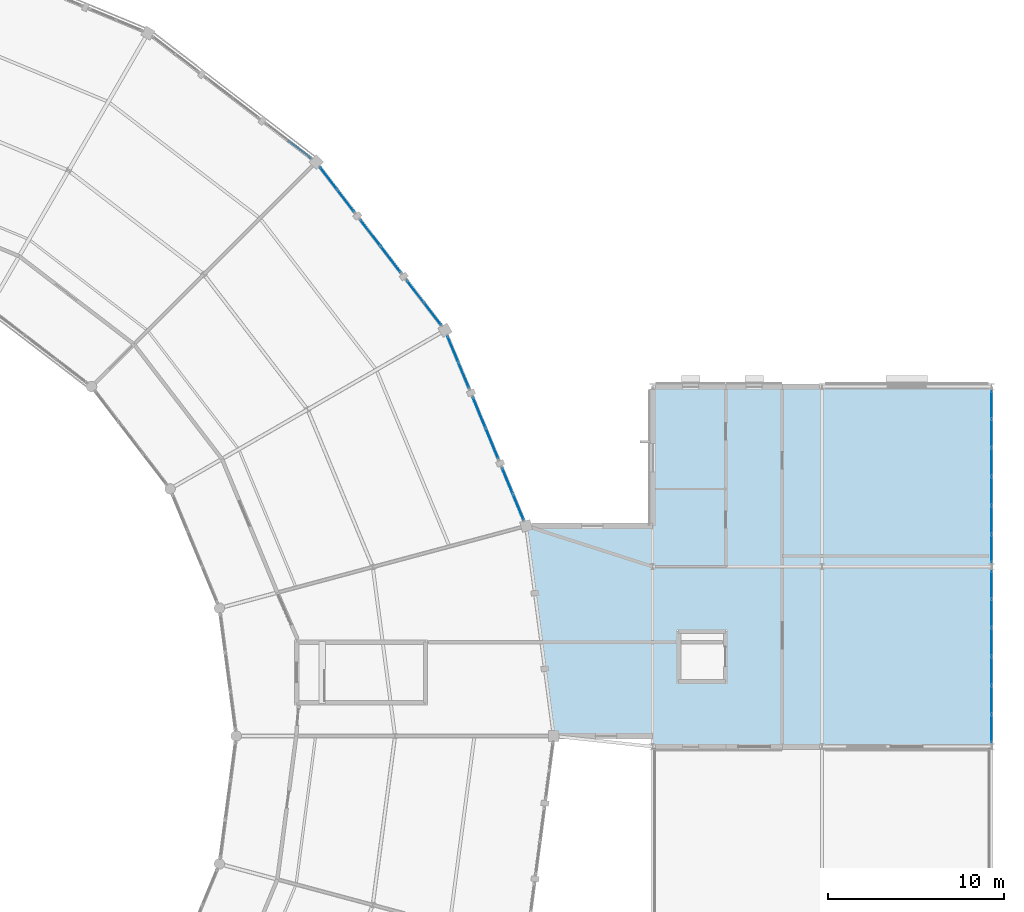
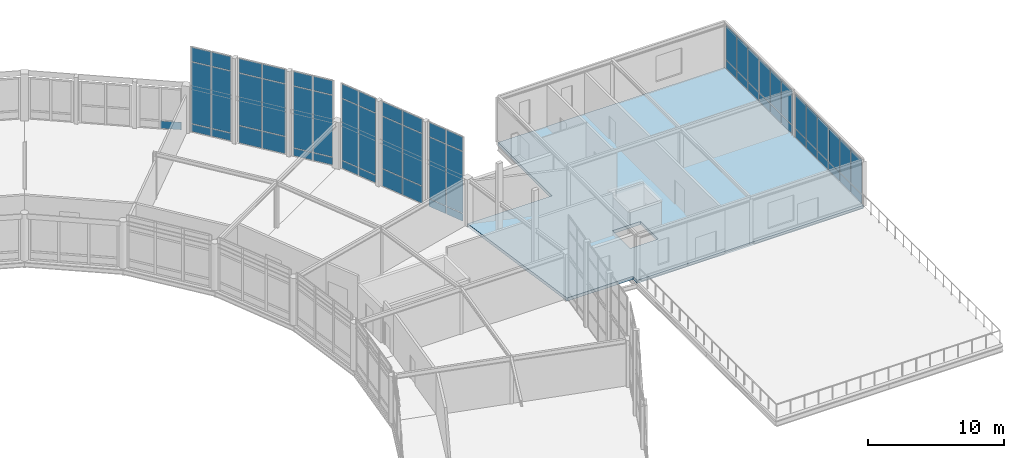
# One storey, part 146 of 185: 61 plates, 1 slab, 9 elements without a shape of their own.
"""IFC4 building model written with IfcOpenShell, lengths in metres."""

from ifc_helpers import new_model, si_unit, direction, frame, origin, origin_2d, place, context, subcontext, project, spatial, polyline, rectangle, outline, extrude, material, layer, layer_set, type_object, element, aggregate, save


model = new_model("IFC4")

# Units and contexts
model_context = context("Model", 3, precision=1e-05, world=origin(), true_north=direction((0.0, 1.0)))
body_context = subcontext(model_context, "Body", "Model", "MODEL_VIEW")
ifc_project = project(units=[si_unit("LENGTHUNIT", "METRE"), si_unit("AREAUNIT", "SQUARE_METRE"), si_unit("VOLUMEUNIT", "CUBIC_METRE"), si_unit("PLANEANGLEUNIT", "RADIAN"), si_unit("MASSUNIT", "GRAM", prefix="KILO")], contexts=[model_context])

# Site, building, storey
site_placement = place(None, origin())
site = spatial("IfcSite", under=ifc_project, at=site_placement, CompositionType="ELEMENT")
building_placement = place(site_placement, origin())
building = spatial("IfcBuilding", under=site, at=building_placement, Name="Vondelvale Polytechnic", CompositionType="ELEMENT")
storey_placement = place(building_placement, frame((0.0, 0.0, 9.60009765625)))
storey = spatial("IfcBuildingStorey", under=building, at=storey_placement, Name="L02", CompositionType="ELEMENT", Elevation=9.60009765625)

# Curtain wall, plates
ifc_material_1 = material(Name="Glulam GL18 structural Tasmanian oak (fb = 42 MPa)", Category="wood")
curtain_wall_type_1 = type_object("IfcCurtainWallType", Name="CW-RING-OUTER", PredefinedType="NOTDEFINED", material=ifc_material_1)
curtain_wall_1_placement = place(storey_placement, origin())
curtain_wall_1 = element("IfcCurtainWall", 1, at=curtain_wall_1_placement, inside=storey, type_object=curtain_wall_type_1, Name="L02 architectural curtain wall CW-04-082", PredefinedType="NOTDEFINED")
ifc_material_2 = material(Name="Double-glazed low-E insulated architectural glass", Category="glass")
ifc_layer_1 = layer(ifc_material_2, 0.028076171875)
ifc_layer_set_1 = layer_set([ifc_layer_1], Name="CW-PANEL-GLAZED")
plate_type_1 = type_object("IfcPlateType", Name="CW-PANEL-GLAZED", PredefinedType="CURTAIN_PANEL", material=ifc_layer_set_1)
plate_1_placement = place(storey_placement, frame((145.98779296875, 84.97998046875, 0.77978515625), z_axis=(0.0, 0.0, 1.0), x_axis=(-0.382677394529, 0.923882033442, 0.0)))
plate_1 = element("IfcPlate", 2, at=plate_1_placement, type_object=plate_type_1, Name="CW-04-082 panel 1.2", PredefinedType="CURTAIN_PANEL", context=body_context, shape_type="SweptSolid", body=[
    extrude(rectangle(XDim=1.530029296875, YDim=0.028076171875, at=origin_2d()), origin(), (0.0, 0.0, 1.0), 5.50146484375),
])
plate_2_placement = place(storey_placement, frame((145.98779296875, 84.97998046875, 6.34130859375), z_axis=(0.0, 0.0, 1.0), x_axis=(-0.382677394529, 0.923882033442, 0.0)))
plate_2 = element("IfcPlate", 3, at=plate_2_placement, type_object=plate_type_1, Name="CW-04-082 panel 1.3", PredefinedType="CURTAIN_PANEL", context=body_context, shape_type="SweptSolid", body=[
    extrude(rectangle(XDim=1.530029296875, YDim=0.028076171875, at=origin_2d()), origin(), (0.0, 0.0, 1.0), 1.260009765625),
])
plate_3_placement = place(storey_placement, frame((145.377197265625, 86.453369140625, 0.77978515625), z_axis=(0.0, 0.0, 1.0), x_axis=(-0.382677394529, 0.923882033442, 0.0)))
plate_3 = element("IfcPlate", 4, at=plate_3_placement, type_object=plate_type_1, Name="CW-04-082 panel 2.2", PredefinedType="CURTAIN_PANEL", context=body_context, shape_type="SweptSolid", body=[
    extrude(rectangle(XDim=1.530029296875, YDim=0.028076171875, at=origin_2d()), origin(), (0.0, 0.0, 1.0), 5.50146484375),
])
plate_4_placement = place(storey_placement, frame((145.377197265625, 86.453369140625, 6.34130859375), z_axis=(0.0, 0.0, 1.0), x_axis=(-0.382677394529, 0.923882033442, 0.0)))
plate_4 = element("IfcPlate", 5, at=plate_4_placement, type_object=plate_type_1, Name="CW-04-082 panel 2.3", PredefinedType="CURTAIN_PANEL", context=body_context, shape_type="SweptSolid", body=[
    extrude(rectangle(XDim=1.530029296875, YDim=0.028076171875, at=origin_2d()), origin(), (0.0, 0.0, 1.0), 1.260009765625),
])

curtain_wall_2_placement = place(storey_placement, origin())
curtain_wall_2 = element("IfcCurtainWall", 6, at=curtain_wall_2_placement, inside=storey, type_object=curtain_wall_type_1, Name="L02 architectural curtain wall CW-04-083", PredefinedType="NOTDEFINED")
plate_5_placement = place(storey_placement, frame((144.493408203125, 88.587158203125, 1.6298828125), z_axis=(0.0, 0.0, 1.0), x_axis=(-0.382694599123, 0.92387490701, 0.0)))
plate_5 = element("IfcPlate", 7, at=plate_5_placement, type_object=plate_type_1, Name="CW-04-083 panel 1.2", PredefinedType="CURTAIN_PANEL", context=body_context, shape_type="SweptSolid", body=[
    extrude(rectangle(XDim=1.80908203125, YDim=0.028076171875, at=origin_2d()), origin(), (0.0, 0.0, 1.0), 4.6513671875),
])
plate_6_placement = place(storey_placement, frame((144.493408203125, 88.587158203125, 6.34130859375), z_axis=(0.0, 0.0, 1.0), x_axis=(-0.382694599123, 0.92387490701, 0.0)))
plate_6 = element("IfcPlate", 8, at=plate_6_placement, type_object=plate_type_1, Name="CW-04-083 panel 1.3", PredefinedType="CURTAIN_PANEL", context=body_context, shape_type="SweptSolid", body=[
    extrude(rectangle(XDim=1.80908203125, YDim=0.028076171875, at=origin_2d()), origin(), (0.0, 0.0, 1.0), 1.260009765625),
])
plate_7_placement = place(storey_placement, frame((143.7763671875, 90.318603515625, 1.6298828125), z_axis=(0.0, 0.0, 1.0), x_axis=(-0.382694599123, 0.92387490701, 0.0)))
plate_7 = element("IfcPlate", 9, at=plate_7_placement, type_object=plate_type_1, Name="CW-04-083 panel 2.2", PredefinedType="CURTAIN_PANEL", context=body_context, shape_type="SweptSolid", body=[
    extrude(rectangle(XDim=1.80908203125, YDim=0.028076171875, at=origin_2d()), origin(), (0.0, 0.0, 1.0), 4.6513671875),
])
plate_8_placement = place(storey_placement, frame((143.7763671875, 90.318603515625, 6.34130859375), z_axis=(0.0, 0.0, 1.0), x_axis=(-0.382694599123, 0.92387490701, 0.0)))
plate_8 = element("IfcPlate", 10, at=plate_8_placement, type_object=plate_type_1, Name="CW-04-083 panel 2.3", PredefinedType="CURTAIN_PANEL", context=body_context, shape_type="SweptSolid", body=[
    extrude(rectangle(XDim=1.80908203125, YDim=0.028076171875, at=origin_2d()), origin(), (0.0, 0.0, 1.0), 1.260009765625),
])

curtain_wall_3_placement = place(storey_placement, origin())
curtain_wall_3 = element("IfcCurtainWall", 11, at=curtain_wall_3_placement, inside=storey, type_object=curtain_wall_type_1, Name="L02 architectural curtain wall CW-04-084", PredefinedType="NOTDEFINED")
plate_9_placement = place(storey_placement, frame((142.892578125, 92.4521484375, 0.77978515625), z_axis=(0.0, 0.0, 1.0), x_axis=(-0.382677394529, 0.923882033442, 0.0)))
plate_9 = element("IfcPlate", 12, at=plate_9_placement, type_object=plate_type_1, Name="CW-04-084 panel 1.2", PredefinedType="CURTAIN_PANEL", context=body_context, shape_type="SweptSolid", body=[
    extrude(rectangle(XDim=1.530029296875, YDim=0.028076171875, at=origin_2d()), origin(), (0.0, 0.0, 1.0), 5.50146484375),
])
plate_10_placement = place(storey_placement, frame((142.892578125, 92.4521484375, 6.34130859375), z_axis=(0.0, 0.0, 1.0), x_axis=(-0.382677394529, 0.923882033442, 0.0)))
plate_10 = element("IfcPlate", 13, at=plate_10_placement, type_object=plate_type_1, Name="CW-04-084 panel 1.3", PredefinedType="CURTAIN_PANEL", context=body_context, shape_type="SweptSolid", body=[
    extrude(rectangle(XDim=1.530029296875, YDim=0.028076171875, at=origin_2d()), origin(), (0.0, 0.0, 1.0), 1.260009765625),
])
plate_11_placement = place(storey_placement, frame((142.2822265625, 93.92578125, 0.77978515625), z_axis=(0.0, 0.0, 1.0), x_axis=(-0.382677394529, 0.923882033442, 0.0)))
plate_11 = element("IfcPlate", 14, at=plate_11_placement, type_object=plate_type_1, Name="CW-04-084 panel 2.2", PredefinedType="CURTAIN_PANEL", context=body_context, shape_type="SweptSolid", body=[
    extrude(rectangle(XDim=1.530029296875, YDim=0.028076171875, at=origin_2d()), origin(), (0.0, 0.0, 1.0), 5.50146484375),
])
plate_12_placement = place(storey_placement, frame((142.2822265625, 93.92578125, 6.34130859375), z_axis=(0.0, 0.0, 1.0), x_axis=(-0.382677394529, 0.923882033442, 0.0)))
plate_12 = element("IfcPlate", 15, at=plate_12_placement, type_object=plate_type_1, Name="CW-04-084 panel 2.3", PredefinedType="CURTAIN_PANEL", context=body_context, shape_type="SweptSolid", body=[
    extrude(rectangle(XDim=1.530029296875, YDim=0.028076171875, at=origin_2d()), origin(), (0.0, 0.0, 1.0), 1.260009765625),
])

curtain_wall_4_placement = place(storey_placement, origin())
curtain_wall_4 = element("IfcCurtainWall", 16, at=curtain_wall_4_placement, inside=storey, type_object=curtain_wall_type_1, Name="L02 architectural curtain wall CW-04-094", PredefinedType="NOTDEFINED")
plate_13_placement = place(storey_placement, frame((141.12939453125, 95.92236328125, 0.77978515625), z_axis=(0.0, 0.0, 1.0), x_axis=(-0.608786860133, 0.793333825656, 0.0)))
plate_13 = element("IfcPlate", 17, at=plate_13_placement, type_object=plate_type_1, Name="CW-04-094 panel 1.2", PredefinedType="CURTAIN_PANEL", context=body_context, shape_type="SweptSolid", body=[
    extrude(rectangle(XDim=1.530029296875, YDim=0.028076171875, at=origin_2d()), origin(), (0.0, 0.0, 1.0), 5.50146484375),
])
plate_14_placement = place(storey_placement, frame((141.12939453125, 95.92236328125, 6.34130859375), z_axis=(0.0, 0.0, 1.0), x_axis=(-0.608786860133, 0.793333825656, 0.0)))
plate_14 = element("IfcPlate", 18, at=plate_14_placement, type_object=plate_type_1, Name="CW-04-094 panel 1.3", PredefinedType="CURTAIN_PANEL", context=body_context, shape_type="SweptSolid", body=[
    extrude(rectangle(XDim=1.530029296875, YDim=0.028076171875, at=origin_2d()), origin(), (0.0, 0.0, 1.0), 1.260009765625),
])
plate_15_placement = place(storey_placement, frame((140.158447265625, 97.187744140625, 0.77978515625), z_axis=(0.0, 0.0, 1.0), x_axis=(-0.608786860133, 0.793333825656, 0.0)))
plate_15 = element("IfcPlate", 19, at=plate_15_placement, type_object=plate_type_1, Name="CW-04-094 panel 2.2", PredefinedType="CURTAIN_PANEL", context=body_context, shape_type="SweptSolid", body=[
    extrude(rectangle(XDim=1.530029296875, YDim=0.028076171875, at=origin_2d()), origin(), (0.0, 0.0, 1.0), 5.50146484375),
])
plate_16_placement = place(storey_placement, frame((140.158447265625, 97.187744140625, 6.34130859375), z_axis=(0.0, 0.0, 1.0), x_axis=(-0.608786860133, 0.793333825656, 0.0)))
plate_16 = element("IfcPlate", 20, at=plate_16_placement, type_object=plate_type_1, Name="CW-04-094 panel 2.3", PredefinedType="CURTAIN_PANEL", context=body_context, shape_type="SweptSolid", body=[
    extrude(rectangle(XDim=1.530029296875, YDim=0.028076171875, at=origin_2d()), origin(), (0.0, 0.0, 1.0), 1.260009765625),
])

curtain_wall_5_placement = place(storey_placement, origin())
curtain_wall_5 = element("IfcCurtainWall", 21, at=curtain_wall_5_placement, inside=storey, type_object=curtain_wall_type_1, Name="L02 architectural curtain wall CW-04-095", PredefinedType="NOTDEFINED")
plate_17_placement = place(storey_placement, frame((138.75244140625, 99.02001953125, 1.6298828125), z_axis=(0.0, 0.0, 1.0), x_axis=(-0.608771189063, 0.793345851043, 0.0)))
plate_17 = element("IfcPlate", 22, at=plate_17_placement, type_object=plate_type_1, Name="CW-04-095 panel 1.2", PredefinedType="CURTAIN_PANEL", context=body_context, shape_type="SweptSolid", body=[
    extrude(rectangle(XDim=1.80908203125, YDim=0.028076171875, at=origin_2d()), origin(), (0.0, 0.0, 1.0), 4.6513671875),
])
plate_18_placement = place(storey_placement, frame((138.75244140625, 99.02001953125, 6.34130859375), z_axis=(0.0, 0.0, 1.0), x_axis=(-0.608771189063, 0.793345851043, 0.0)))
plate_18 = element("IfcPlate", 23, at=plate_18_placement, type_object=plate_type_1, Name="CW-04-095 panel 1.3", PredefinedType="CURTAIN_PANEL", context=body_context, shape_type="SweptSolid", body=[
    extrude(rectangle(XDim=1.80908203125, YDim=0.028076171875, at=origin_2d()), origin(), (0.0, 0.0, 1.0), 1.260009765625),
])
plate_19_placement = place(storey_placement, frame((137.611572265625, 100.5068359375, 1.6298828125), z_axis=(0.0, 0.0, 1.0), x_axis=(-0.608771189063, 0.793345851043, 0.0)))
plate_19 = element("IfcPlate", 24, at=plate_19_placement, type_object=plate_type_1, Name="CW-04-095 panel 2.2", PredefinedType="CURTAIN_PANEL", context=body_context, shape_type="SweptSolid", body=[
    extrude(rectangle(XDim=1.80908203125, YDim=0.028076171875, at=origin_2d()), origin(), (0.0, 0.0, 1.0), 4.6513671875),
])
plate_20_placement = place(storey_placement, frame((137.611572265625, 100.5068359375, 6.34130859375), z_axis=(0.0, 0.0, 1.0), x_axis=(-0.608771189063, 0.793345851043, 0.0)))
plate_20 = element("IfcPlate", 25, at=plate_20_placement, type_object=plate_type_1, Name="CW-04-095 panel 2.3", PredefinedType="CURTAIN_PANEL", context=body_context, shape_type="SweptSolid", body=[
    extrude(rectangle(XDim=1.80908203125, YDim=0.028076171875, at=origin_2d()), origin(), (0.0, 0.0, 1.0), 1.260009765625),
])

curtain_wall_6_placement = place(storey_placement, origin())
curtain_wall_6 = element("IfcCurtainWall", 26, at=curtain_wall_6_placement, inside=storey, type_object=curtain_wall_type_1, Name="L02 architectural curtain wall CW-04-096", PredefinedType="NOTDEFINED")
plate_21_placement = place(storey_placement, frame((136.205810546875, 102.339111328125, 0.77978515625), z_axis=(0.0, 0.0, 1.0), x_axis=(-0.608786860133, 0.793333825656, 0.0)))
plate_21 = element("IfcPlate", 27, at=plate_21_placement, type_object=plate_type_1, Name="CW-04-096 panel 1.2", PredefinedType="CURTAIN_PANEL", context=body_context, shape_type="SweptSolid", body=[
    extrude(rectangle(XDim=1.530029296875, YDim=0.028076171875, at=origin_2d()), origin(), (0.0, 0.0, 1.0), 5.50146484375),
])
plate_22_placement = place(storey_placement, frame((136.205810546875, 102.339111328125, 6.34130859375), z_axis=(0.0, 0.0, 1.0), x_axis=(-0.608786860133, 0.793333825656, 0.0)))
plate_22 = element("IfcPlate", 28, at=plate_22_placement, type_object=plate_type_1, Name="CW-04-096 panel 1.3", PredefinedType="CURTAIN_PANEL", context=body_context, shape_type="SweptSolid", body=[
    extrude(rectangle(XDim=1.530029296875, YDim=0.028076171875, at=origin_2d()), origin(), (0.0, 0.0, 1.0), 1.260009765625),
])
plate_23_placement = place(storey_placement, frame((135.234619140625, 103.6044921875, 0.77978515625), z_axis=(0.0, 0.0, 1.0), x_axis=(-0.608786860133, 0.793333825656, 0.0)))
plate_23 = element("IfcPlate", 29, at=plate_23_placement, type_object=plate_type_1, Name="CW-04-096 panel 2.2", PredefinedType="CURTAIN_PANEL", context=body_context, shape_type="SweptSolid", body=[
    extrude(rectangle(XDim=1.530029296875, YDim=0.028076171875, at=origin_2d()), origin(), (0.0, 0.0, 1.0), 5.50146484375),
])
plate_24_placement = place(storey_placement, frame((135.234619140625, 103.6044921875, 6.34130859375), z_axis=(0.0, 0.0, 1.0), x_axis=(-0.608786860133, 0.793333825656, 0.0)))
plate_24 = element("IfcPlate", 30, at=plate_24_placement, type_object=plate_type_1, Name="CW-04-096 panel 2.3", PredefinedType="CURTAIN_PANEL", context=body_context, shape_type="SweptSolid", body=[
    extrude(rectangle(XDim=1.530029296875, YDim=0.028076171875, at=origin_2d()), origin(), (0.0, 0.0, 1.0), 1.260009765625),
])

ifc_material_3 = material(Name="Anodised extruded aluminium 6063-T6", Category="aluminium")
curtain_wall_type_2 = type_object("IfcCurtainWallType", Name="CW-REFECTORY", PredefinedType="NOTDEFINED", material=ifc_material_3)
curtain_wall_7_placement = place(storey_placement, origin())
curtain_wall_7 = element("IfcCurtainWall", 31, at=curtain_wall_7_placement, inside=storey, type_object=curtain_wall_type_2, Name="L02 architectural curtain wall CW-05-393", PredefinedType="NOTDEFINED")
plate_25_placement = place(storey_placement, frame((172.800048828125, 72.4208984375, 0.88232421875), z_axis=(0.0, 0.0, 1.0), x_axis=(0.0, 1.0, 0.0)))
plate_25 = element("IfcPlate", 32, at=plate_25_placement, type_object=plate_type_1, Name="CW-05-393 panel 1.2", PredefinedType="CURTAIN_PANEL", context=body_context, shape_type="SweptSolid", body=[
    extrude(rectangle(XDim=1.53369140625, YDim=0.028076171875, at=origin_2d()), origin(), (0.0, 0.0, 1.0), 3.052490234375),
])
plate_26_placement = place(storey_placement, frame((172.800048828125, 74.0419921875, 0.88232421875), z_axis=(0.0, 0.0, 1.0), x_axis=(0.0, 1.0, 0.0)))
plate_26 = element("IfcPlate", 33, at=plate_26_placement, type_object=plate_type_1, Name="CW-05-393 panel 2.2", PredefinedType="CURTAIN_PANEL", context=body_context, shape_type="SweptSolid", body=[
    extrude(rectangle(XDim=1.568603515625, YDim=0.028076171875, at=origin_2d()), origin(), (0.0, 0.0, 1.0), 3.052490234375),
])
plate_27_placement = place(storey_placement, frame((172.800048828125, 75.6806640625, 0.88232421875), z_axis=(0.0, 0.0, 1.0), x_axis=(0.0, 1.0, 0.0)))
plate_27 = element("IfcPlate", 34, at=plate_27_placement, type_object=plate_type_1, Name="CW-05-393 panel 3.2", PredefinedType="CURTAIN_PANEL", context=body_context, shape_type="SweptSolid", body=[
    extrude(rectangle(XDim=1.568603515625, YDim=0.028076171875, at=origin_2d()), origin(), (0.0, 0.0, 1.0), 3.052490234375),
])
plate_28_placement = place(storey_placement, frame((172.800048828125, 77.3193359375, 0.88232421875), z_axis=(0.0, 0.0, 1.0), x_axis=(0.0, 1.0, 0.0)))
plate_28 = element("IfcPlate", 35, at=plate_28_placement, type_object=plate_type_1, Name="CW-05-393 panel 4.2", PredefinedType="CURTAIN_PANEL", context=body_context, shape_type="SweptSolid", body=[
    extrude(rectangle(XDim=1.568603515625, YDim=0.028076171875, at=origin_2d()), origin(), (0.0, 0.0, 1.0), 3.052490234375),
])
plate_29_placement = place(storey_placement, frame((172.800048828125, 78.9580078125, 0.88232421875), z_axis=(0.0, 0.0, 1.0), x_axis=(0.0, 1.0, 0.0)))
plate_29 = element("IfcPlate", 36, at=plate_29_placement, type_object=plate_type_1, Name="CW-05-393 panel 5.2", PredefinedType="CURTAIN_PANEL", context=body_context, shape_type="SweptSolid", body=[
    extrude(rectangle(XDim=1.568603515625, YDim=0.028076171875, at=origin_2d()), origin(), (0.0, 0.0, 1.0), 3.052490234375),
])
plate_30_placement = place(storey_placement, frame((172.800048828125, 80.5791015625, 0.88232421875), z_axis=(0.0, 0.0, 1.0), x_axis=(0.0, 1.0, 0.0)))
plate_30 = element("IfcPlate", 37, at=plate_30_placement, type_object=plate_type_1, Name="CW-05-393 panel 6.2", PredefinedType="CURTAIN_PANEL", context=body_context, shape_type="SweptSolid", body=[
    extrude(rectangle(XDim=1.53369140625, YDim=0.028076171875, at=origin_2d()), origin(), (0.0, 0.0, 1.0), 3.052490234375),
])

curtain_wall_8_placement = place(storey_placement, origin())
curtain_wall_8 = element("IfcCurtainWall", 38, at=curtain_wall_8_placement, inside=storey, type_object=curtain_wall_type_2, Name="L02 architectural curtain wall CW-05-394", PredefinedType="NOTDEFINED")
plate_31_placement = place(storey_placement, frame((172.800048828125, 82.620849609375, 0.88232421875), z_axis=(0.0, 0.0, 1.0), x_axis=(0.0, 1.0, 0.0)))
plate_31 = element("IfcPlate", 39, at=plate_31_placement, type_object=plate_type_1, Name="CW-05-394 panel 1.2", PredefinedType="CURTAIN_PANEL", context=body_context, shape_type="SweptSolid", body=[
    extrude(rectangle(XDim=1.53369140625, YDim=0.028076171875, at=origin_2d()), origin(), (0.0, 0.0, 1.0), 3.052490234375),
])
plate_32_placement = place(storey_placement, frame((172.800048828125, 84.241943359375, 0.88232421875), z_axis=(0.0, 0.0, 1.0), x_axis=(0.0, 1.0, 0.0)))
plate_32 = element("IfcPlate", 40, at=plate_32_placement, type_object=plate_type_1, Name="CW-05-394 panel 2.2", PredefinedType="CURTAIN_PANEL", context=body_context, shape_type="SweptSolid", body=[
    extrude(rectangle(XDim=1.568603515625, YDim=0.028076171875, at=origin_2d()), origin(), (0.0, 0.0, 1.0), 3.052490234375),
])
plate_33_placement = place(storey_placement, frame((172.800048828125, 85.880615234375, 0.88232421875), z_axis=(0.0, 0.0, 1.0), x_axis=(0.0, 1.0, 0.0)))
plate_33 = element("IfcPlate", 41, at=plate_33_placement, type_object=plate_type_1, Name="CW-05-394 panel 3.2", PredefinedType="CURTAIN_PANEL", context=body_context, shape_type="SweptSolid", body=[
    extrude(rectangle(XDim=1.568603515625, YDim=0.028076171875, at=origin_2d()), origin(), (0.0, 0.0, 1.0), 3.052490234375),
])
plate_34_placement = place(storey_placement, frame((172.800048828125, 87.519287109375, 0.88232421875), z_axis=(0.0, 0.0, 1.0), x_axis=(0.0, 1.0, 0.0)))
plate_34 = element("IfcPlate", 42, at=plate_34_placement, type_object=plate_type_1, Name="CW-05-394 panel 4.2", PredefinedType="CURTAIN_PANEL", context=body_context, shape_type="SweptSolid", body=[
    extrude(rectangle(XDim=1.568603515625, YDim=0.028076171875, at=origin_2d()), origin(), (0.0, 0.0, 1.0), 3.052490234375),
])
plate_35_placement = place(storey_placement, frame((172.800048828125, 89.157958984375, 0.88232421875), z_axis=(0.0, 0.0, 1.0), x_axis=(0.0, 1.0, 0.0)))
plate_35 = element("IfcPlate", 43, at=plate_35_placement, type_object=plate_type_1, Name="CW-05-394 panel 5.2", PredefinedType="CURTAIN_PANEL", context=body_context, shape_type="SweptSolid", body=[
    extrude(rectangle(XDim=1.568603515625, YDim=0.028076171875, at=origin_2d()), origin(), (0.0, 0.0, 1.0), 3.052490234375),
])
plate_36_placement = place(storey_placement, frame((172.800048828125, 90.779052734375, 0.88232421875), z_axis=(0.0, 0.0, 1.0), x_axis=(0.0, 1.0, 0.0)))
plate_36 = element("IfcPlate", 44, at=plate_36_placement, type_object=plate_type_1, Name="CW-05-394 panel 6.2", PredefinedType="CURTAIN_PANEL", context=body_context, shape_type="SweptSolid", body=[
    extrude(rectangle(XDim=1.53369140625, YDim=0.028076171875, at=origin_2d()), origin(), (0.0, 0.0, 1.0), 3.052490234375),
])

# Plate
ifc_material_4 = material(Name="Engineered Tasmanian oak studio and bridge joinery")
ifc_layer_2 = layer(ifc_material_4, 0.0419921875)
ifc_layer_set_2 = layer_set([ifc_layer_2], Name="CW-PANEL-OAK")
plate_type_2 = type_object("IfcPlateType", Name="CW-PANEL-OAK", PredefinedType="CURTAIN_PANEL", material=ifc_layer_set_2)
plate_37_placement = place(storey_placement, frame((144.493408203125, 88.587158203125, 0.06005859375), z_axis=(0.0, 0.0, 1.0), x_axis=(-0.382694599123, 0.92387490701, 0.0)))
plate_37 = element("IfcPlate", 45, at=plate_37_placement, type_object=plate_type_2, Name="CW-04-083 panel 1.1", PredefinedType="CURTAIN_PANEL", context=body_context, shape_type="SweptSolid", body=[
    extrude(rectangle(XDim=1.80908203125, YDim=0.0419921875, at=origin_2d()), origin(), (0.0, 0.0, 1.0), 1.510009765625),
])

plate_38_placement = place(storey_placement, frame((143.7763671875, 90.318603515625, 0.06005859375), z_axis=(0.0, 0.0, 1.0), x_axis=(-0.382694599123, 0.92387490701, 0.0)))
plate_38 = element("IfcPlate", 46, at=plate_38_placement, type_object=plate_type_2, Name="CW-04-083 panel 2.1", PredefinedType="CURTAIN_PANEL", context=body_context, shape_type="SweptSolid", body=[
    extrude(rectangle(XDim=1.80908203125, YDim=0.0419921875, at=origin_2d()), origin(), (0.0, 0.0, 1.0), 1.510009765625),
])

aggregate(curtain_wall_2, [plate_37, plate_5, plate_6, plate_38, plate_7, plate_8])

plate_39_placement = place(storey_placement, frame((138.75244140625, 99.02001953125, 0.06005859375), z_axis=(0.0, 0.0, 1.0), x_axis=(-0.608771189063, 0.793345851043, 0.0)))
plate_39 = element("IfcPlate", 47, at=plate_39_placement, type_object=plate_type_2, Name="CW-04-095 panel 1.1", PredefinedType="CURTAIN_PANEL", context=body_context, shape_type="SweptSolid", body=[
    extrude(rectangle(XDim=1.80908203125, YDim=0.0419921875, at=origin_2d()), origin(), (0.0, 0.0, 1.0), 1.510009765625),
])

plate_40_placement = place(storey_placement, frame((137.611572265625, 100.5068359375, 0.06005859375), z_axis=(0.0, 0.0, 1.0), x_axis=(-0.608771189063, 0.793345851043, 0.0)))
plate_40 = element("IfcPlate", 48, at=plate_40_placement, type_object=plate_type_2, Name="CW-04-095 panel 2.1", PredefinedType="CURTAIN_PANEL", context=body_context, shape_type="SweptSolid", body=[
    extrude(rectangle(XDim=1.80908203125, YDim=0.0419921875, at=origin_2d()), origin(), (0.0, 0.0, 1.0), 1.510009765625),
])

aggregate(curtain_wall_5, [plate_39, plate_17, plate_18, plate_40, plate_19, plate_20])

ifc_material_5 = material(Name="Kiln-fired architectural terracotta", Category="masonry")
ifc_layer_3 = layer(ifc_material_5, 0.035888671875)
ifc_layer_set_3 = layer_set([ifc_layer_3], Name="CW-PANEL-SPANDREL")
plate_type_3 = type_object("IfcPlateType", Name="CW-PANEL-SPANDREL", PredefinedType="CURTAIN_PANEL", material=ifc_layer_set_3)
plate_41_placement = place(storey_placement, frame((145.98779296875, 84.97998046875, 0.06005859375), z_axis=(0.0, 0.0, 1.0), x_axis=(-0.382677394529, 0.923882033442, 0.0)))
plate_41 = element("IfcPlate", 49, at=plate_41_placement, type_object=plate_type_3, Name="CW-04-082 panel 1.1", PredefinedType="CURTAIN_PANEL", context=body_context, shape_type="SweptSolid", body=[
    extrude(rectangle(XDim=1.530029296875, YDim=0.035888671875, at=origin_2d()), origin(), (0.0, 0.0, 1.0), 0.659912109375),
])

plate_42_placement = place(storey_placement, frame((145.377197265625, 86.453369140625, 0.06005859375), z_axis=(0.0, 0.0, 1.0), x_axis=(-0.382677394529, 0.923882033442, 0.0)))
plate_42 = element("IfcPlate", 50, at=plate_42_placement, type_object=plate_type_3, Name="CW-04-082 panel 2.1", PredefinedType="CURTAIN_PANEL", context=body_context, shape_type="SweptSolid", body=[
    extrude(rectangle(XDim=1.530029296875, YDim=0.035888671875, at=origin_2d()), origin(), (0.0, 0.0, 1.0), 0.659912109375),
])

aggregate(curtain_wall_1, [plate_41, plate_1, plate_2, plate_42, plate_3, plate_4])

plate_43_placement = place(storey_placement, frame((142.892578125, 92.4521484375, 0.06005859375), z_axis=(0.0, 0.0, 1.0), x_axis=(-0.382677394529, 0.923882033442, 0.0)))
plate_43 = element("IfcPlate", 51, at=plate_43_placement, type_object=plate_type_3, Name="CW-04-084 panel 1.1", PredefinedType="CURTAIN_PANEL", context=body_context, shape_type="SweptSolid", body=[
    extrude(rectangle(XDim=1.530029296875, YDim=0.035888671875, at=origin_2d()), origin(), (0.0, 0.0, 1.0), 0.659912109375),
])

plate_44_placement = place(storey_placement, frame((142.2822265625, 93.92578125, 0.06005859375), z_axis=(0.0, 0.0, 1.0), x_axis=(-0.382677394529, 0.923882033442, 0.0)))
plate_44 = element("IfcPlate", 52, at=plate_44_placement, type_object=plate_type_3, Name="CW-04-084 panel 2.1", PredefinedType="CURTAIN_PANEL", context=body_context, shape_type="SweptSolid", body=[
    extrude(rectangle(XDim=1.530029296875, YDim=0.035888671875, at=origin_2d()), origin(), (0.0, 0.0, 1.0), 0.659912109375),
])

aggregate(curtain_wall_3, [plate_43, plate_9, plate_10, plate_44, plate_11, plate_12])

plate_45_placement = place(storey_placement, frame((141.12939453125, 95.92236328125, 0.06005859375), z_axis=(0.0, 0.0, 1.0), x_axis=(-0.608786860133, 0.793333825656, 0.0)))
plate_45 = element("IfcPlate", 53, at=plate_45_placement, type_object=plate_type_3, Name="CW-04-094 panel 1.1", PredefinedType="CURTAIN_PANEL", context=body_context, shape_type="SweptSolid", body=[
    extrude(rectangle(XDim=1.530029296875, YDim=0.035888671875, at=origin_2d()), origin(), (0.0, 0.0, 1.0), 0.659912109375),
])

plate_46_placement = place(storey_placement, frame((140.158447265625, 97.187744140625, 0.06005859375), z_axis=(0.0, 0.0, 1.0), x_axis=(-0.608786860133, 0.793333825656, 0.0)))
plate_46 = element("IfcPlate", 54, at=plate_46_placement, type_object=plate_type_3, Name="CW-04-094 panel 2.1", PredefinedType="CURTAIN_PANEL", context=body_context, shape_type="SweptSolid", body=[
    extrude(rectangle(XDim=1.530029296875, YDim=0.035888671875, at=origin_2d()), origin(), (0.0, 0.0, 1.0), 0.659912109375),
])

aggregate(curtain_wall_4, [plate_45, plate_13, plate_14, plate_46, plate_15, plate_16])

plate_47_placement = place(storey_placement, frame((136.205810546875, 102.339111328125, 0.06005859375), z_axis=(0.0, 0.0, 1.0), x_axis=(-0.608786860133, 0.793333825656, 0.0)))
plate_47 = element("IfcPlate", 55, at=plate_47_placement, type_object=plate_type_3, Name="CW-04-096 panel 1.1", PredefinedType="CURTAIN_PANEL", context=body_context, shape_type="SweptSolid", body=[
    extrude(rectangle(XDim=1.530029296875, YDim=0.035888671875, at=origin_2d()), origin(), (0.0, 0.0, 1.0), 0.659912109375),
])

plate_48_placement = place(storey_placement, frame((135.234619140625, 103.6044921875, 0.06005859375), z_axis=(0.0, 0.0, 1.0), x_axis=(-0.608786860133, 0.793333825656, 0.0)))
plate_48 = element("IfcPlate", 56, at=plate_48_placement, type_object=plate_type_3, Name="CW-04-096 panel 2.1", PredefinedType="CURTAIN_PANEL", context=body_context, shape_type="SweptSolid", body=[
    extrude(rectangle(XDim=1.530029296875, YDim=0.035888671875, at=origin_2d()), origin(), (0.0, 0.0, 1.0), 0.659912109375),
])

aggregate(curtain_wall_6, [plate_47, plate_21, plate_22, plate_48, plate_23, plate_24])

# Curtain wall, plate
curtain_wall_9_placement = place(storey_placement, origin())
curtain_wall_9 = element("IfcCurtainWall", 57, at=curtain_wall_9_placement, inside=storey, type_object=curtain_wall_type_1, Name="L02 architectural curtain wall CW-04-105", PredefinedType="NOTDEFINED")
plate_49_placement = place(storey_placement, frame((133.6044921875, 105.234619140625, 0.06005859375), z_axis=(0.0, 0.0, 1.0), x_axis=(-0.793333825656, 0.608786860133, 0.0)))
plate_49 = element("IfcPlate", 58, at=plate_49_placement, type_object=plate_type_3, Name="CW-04-105 panel 1.1", PredefinedType="CURTAIN_PANEL", context=body_context, shape_type="SweptSolid", body=[
    extrude(rectangle(XDim=1.530029296875, YDim=0.035888671875, at=origin_2d()), origin(), (0.0, 0.0, 1.0), 0.659912109375),
])
aggregate(curtain_wall_9, [plate_49])

# Plate
plate_50_placement = place(storey_placement, frame((172.800048828125, 72.4208984375, 0.06494140625), z_axis=(0.0, 0.0, 1.0), x_axis=(0.0, 1.0, 0.0)))
plate_50 = element("IfcPlate", 59, at=plate_50_placement, type_object=plate_type_3, Name="CW-05-393 panel 1.1", PredefinedType="CURTAIN_PANEL", context=body_context, shape_type="SweptSolid", body=[
    extrude(rectangle(XDim=1.53369140625, YDim=0.035888671875, at=origin_2d()), origin(), (0.0, 0.0, 1.0), 0.75244140625),
])

plate_51_placement = place(storey_placement, frame((172.800048828125, 74.0419921875, 0.06494140625), z_axis=(0.0, 0.0, 1.0), x_axis=(0.0, 1.0, 0.0)))
plate_51 = element("IfcPlate", 60, at=plate_51_placement, type_object=plate_type_3, Name="CW-05-393 panel 2.1", PredefinedType="CURTAIN_PANEL", context=body_context, shape_type="SweptSolid", body=[
    extrude(rectangle(XDim=1.568603515625, YDim=0.035888671875, at=origin_2d()), origin(), (0.0, 0.0, 1.0), 0.75244140625),
])

plate_52_placement = place(storey_placement, frame((172.800048828125, 75.6806640625, 0.06494140625), z_axis=(0.0, 0.0, 1.0), x_axis=(0.0, 1.0, 0.0)))
plate_52 = element("IfcPlate", 61, at=plate_52_placement, type_object=plate_type_3, Name="CW-05-393 panel 3.1", PredefinedType="CURTAIN_PANEL", context=body_context, shape_type="SweptSolid", body=[
    extrude(rectangle(XDim=1.568603515625, YDim=0.035888671875, at=origin_2d()), origin(), (0.0, 0.0, 1.0), 0.75244140625),
])

plate_53_placement = place(storey_placement, frame((172.800048828125, 77.3193359375, 0.06494140625), z_axis=(0.0, 0.0, 1.0), x_axis=(0.0, 1.0, 0.0)))
plate_53 = element("IfcPlate", 62, at=plate_53_placement, type_object=plate_type_3, Name="CW-05-393 panel 4.1", PredefinedType="CURTAIN_PANEL", context=body_context, shape_type="SweptSolid", body=[
    extrude(rectangle(XDim=1.568603515625, YDim=0.035888671875, at=origin_2d()), origin(), (0.0, 0.0, 1.0), 0.75244140625),
])

plate_54_placement = place(storey_placement, frame((172.800048828125, 78.9580078125, 0.06494140625), z_axis=(0.0, 0.0, 1.0), x_axis=(0.0, 1.0, 0.0)))
plate_54 = element("IfcPlate", 63, at=plate_54_placement, type_object=plate_type_3, Name="CW-05-393 panel 5.1", PredefinedType="CURTAIN_PANEL", context=body_context, shape_type="SweptSolid", body=[
    extrude(rectangle(XDim=1.568603515625, YDim=0.035888671875, at=origin_2d()), origin(), (0.0, 0.0, 1.0), 0.75244140625),
])

plate_55_placement = place(storey_placement, frame((172.800048828125, 80.5791015625, 0.06494140625), z_axis=(0.0, 0.0, 1.0), x_axis=(0.0, 1.0, 0.0)))
plate_55 = element("IfcPlate", 64, at=plate_55_placement, type_object=plate_type_3, Name="CW-05-393 panel 6.1", PredefinedType="CURTAIN_PANEL", context=body_context, shape_type="SweptSolid", body=[
    extrude(rectangle(XDim=1.53369140625, YDim=0.035888671875, at=origin_2d()), origin(), (0.0, 0.0, 1.0), 0.75244140625),
])

aggregate(curtain_wall_7, [plate_50, plate_25, plate_51, plate_26, plate_52, plate_27, plate_53, plate_28, plate_54, plate_29, plate_55, plate_30])

plate_56_placement = place(storey_placement, frame((172.800048828125, 82.620849609375, 0.06494140625), z_axis=(0.0, 0.0, 1.0), x_axis=(0.0, 1.0, 0.0)))
plate_56 = element("IfcPlate", 65, at=plate_56_placement, type_object=plate_type_3, Name="CW-05-394 panel 1.1", PredefinedType="CURTAIN_PANEL", context=body_context, shape_type="SweptSolid", body=[
    extrude(rectangle(XDim=1.53369140625, YDim=0.035888671875, at=origin_2d()), origin(), (0.0, 0.0, 1.0), 0.75244140625),
])

plate_57_placement = place(storey_placement, frame((172.800048828125, 84.241943359375, 0.06494140625), z_axis=(0.0, 0.0, 1.0), x_axis=(0.0, 1.0, 0.0)))
plate_57 = element("IfcPlate", 66, at=plate_57_placement, type_object=plate_type_3, Name="CW-05-394 panel 2.1", PredefinedType="CURTAIN_PANEL", context=body_context, shape_type="SweptSolid", body=[
    extrude(rectangle(XDim=1.568603515625, YDim=0.035888671875, at=origin_2d()), origin(), (0.0, 0.0, 1.0), 0.75244140625),
])

plate_58_placement = place(storey_placement, frame((172.800048828125, 85.880615234375, 0.06494140625), z_axis=(0.0, 0.0, 1.0), x_axis=(0.0, 1.0, 0.0)))
plate_58 = element("IfcPlate", 67, at=plate_58_placement, type_object=plate_type_3, Name="CW-05-394 panel 3.1", PredefinedType="CURTAIN_PANEL", context=body_context, shape_type="SweptSolid", body=[
    extrude(rectangle(XDim=1.568603515625, YDim=0.035888671875, at=origin_2d()), origin(), (0.0, 0.0, 1.0), 0.75244140625),
])

plate_59_placement = place(storey_placement, frame((172.800048828125, 87.519287109375, 0.06494140625), z_axis=(0.0, 0.0, 1.0), x_axis=(0.0, 1.0, 0.0)))
plate_59 = element("IfcPlate", 68, at=plate_59_placement, type_object=plate_type_3, Name="CW-05-394 panel 4.1", PredefinedType="CURTAIN_PANEL", context=body_context, shape_type="SweptSolid", body=[
    extrude(rectangle(XDim=1.568603515625, YDim=0.035888671875, at=origin_2d()), origin(), (0.0, 0.0, 1.0), 0.75244140625),
])

plate_60_placement = place(storey_placement, frame((172.800048828125, 89.157958984375, 0.06494140625), z_axis=(0.0, 0.0, 1.0), x_axis=(0.0, 1.0, 0.0)))
plate_60 = element("IfcPlate", 69, at=plate_60_placement, type_object=plate_type_3, Name="CW-05-394 panel 5.1", PredefinedType="CURTAIN_PANEL", context=body_context, shape_type="SweptSolid", body=[
    extrude(rectangle(XDim=1.568603515625, YDim=0.035888671875, at=origin_2d()), origin(), (0.0, 0.0, 1.0), 0.75244140625),
])

plate_61_placement = place(storey_placement, frame((172.800048828125, 90.779052734375, 0.06494140625), z_axis=(0.0, 0.0, 1.0), x_axis=(0.0, 1.0, 0.0)))
plate_61 = element("IfcPlate", 70, at=plate_61_placement, type_object=plate_type_3, Name="CW-05-394 panel 6.1", PredefinedType="CURTAIN_PANEL", context=body_context, shape_type="SweptSolid", body=[
    extrude(rectangle(XDim=1.53369140625, YDim=0.035888671875, at=origin_2d()), origin(), (0.0, 0.0, 1.0), 0.75244140625),
])

aggregate(curtain_wall_8, [plate_56, plate_31, plate_57, plate_32, plate_58, plate_33, plate_59, plate_34, plate_60, plate_35, plate_61, plate_36])

# Slab
ifc_material_6 = material(Name="Concrete N40 (f'c = 40 MPa)", Category="concrete")
ifc_layer_4 = layer(ifc_material_6, 0.280029296875)
ifc_layer_set_4 = layer_set([ifc_layer_4], Name="SLB-LIBRARY-280")
slab_type = type_object("IfcSlabType", Name="SLB-LIBRARY-280", PredefinedType="FLOOR", material=ifc_layer_set_4)
slab_placement = place(storey_placement, frame((0.0, 0.0, -0.280029296875)))
element("IfcSlab", 71, at=slab_placement, inside=storey, type_object=slab_type, Name="L02 East union atelier wing slab", PredefinedType="FLOOR", context=body_context, shape_type="SweptSolid", body=[
    extrude(outline(polyline([(153.60009765625, 71.39990234375), (172.800048828125, 71.39990234375), (172.800048828125, 91.800048828125), (153.60009765625, 91.800048828125), (153.60009765625, 83.90576171875), (146.45263671875, 83.90576171875), (148.02001953125, 72.0), (153.60009765625, 72.0), (153.60009765625, 71.39990234375)]), holes=[polyline([(155.199951171875, 75.199951171875), (157.60009765625, 75.199951171875), (157.60009765625, 77.800048828125), (155.199951171875, 77.800048828125), (155.199951171875, 75.199951171875)])]), origin(), (0.0, 0.0, 1.0), 0.280029296875),
])

save(model, "model.ifc")
